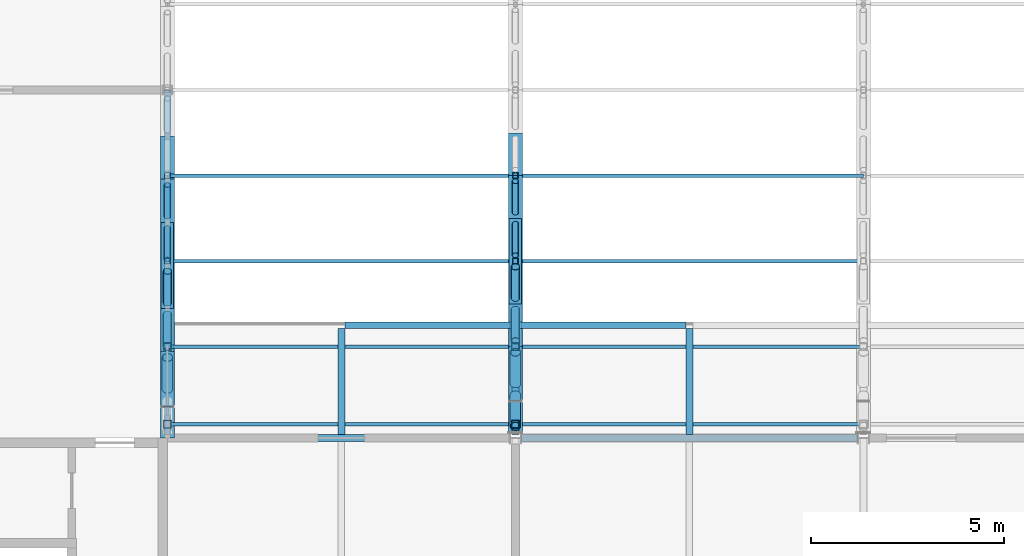
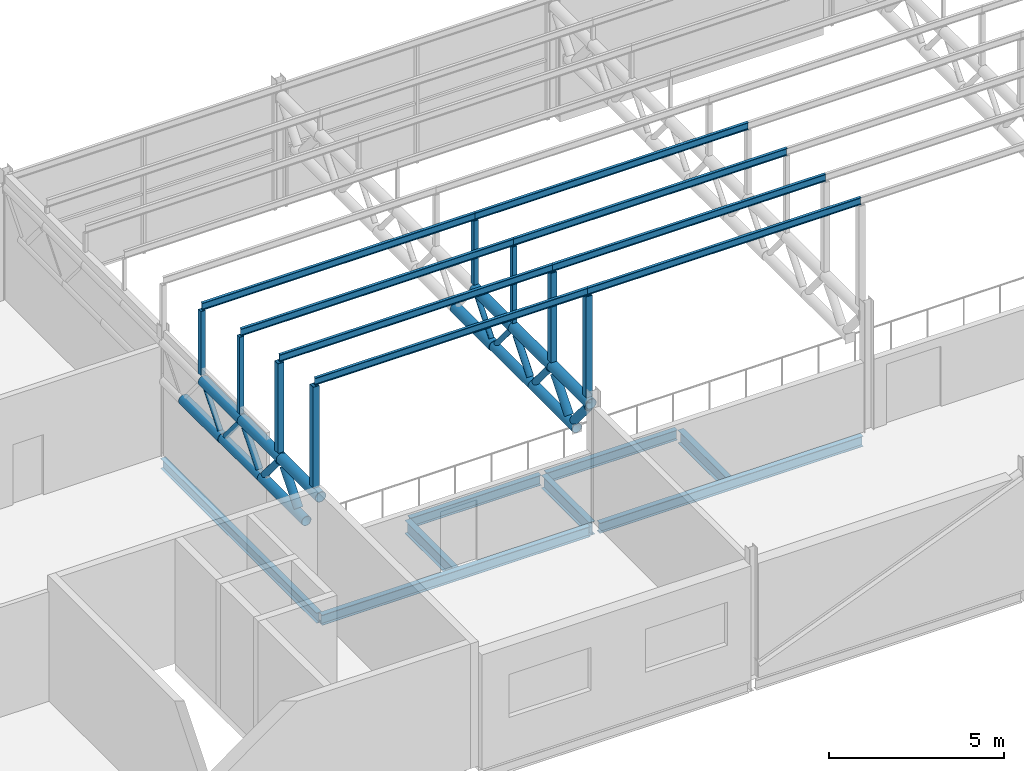
# One storey, part 28 of 138: 39 members, 8 beams.
"""IFC4 building model written with IfcOpenShell, lengths in metres."""

from ifc_helpers import new_model, si_unit, direction, frame, origin, origin_2d, place, context, subcontext, project, spatial, hollow_rectangle, hollow_circle, i_section, extrude, material, material_profile, profile_set, type_object, element, save


model = new_model("IFC4")

# Units and contexts
model_context = context("Model", 3, precision=1e-05, world=origin(), true_north=direction((0.0, 1.0)))
body_context = subcontext(model_context, "Body", "Model", "MODEL_VIEW")
ifc_project = project(units=[si_unit("LENGTHUNIT", "METRE"), si_unit("AREAUNIT", "SQUARE_METRE"), si_unit("VOLUMEUNIT", "CUBIC_METRE"), si_unit("PLANEANGLEUNIT", "RADIAN"), si_unit("MASSUNIT", "GRAM", prefix="KILO")], contexts=[model_context])

# Site, building, storey
site_placement = place(None, origin())
site = spatial("IfcSite", under=ifc_project, at=site_placement, CompositionType="ELEMENT")
building_placement = place(site_placement, origin())
building = spatial("IfcBuilding", under=site, at=building_placement, Name="Corbel Yard City Hall", CompositionType="ELEMENT")
storey_placement = place(building_placement, frame((0.0, 0.0, 10.5)))
storey = spatial("IfcBuildingStorey", under=building, at=storey_placement, Name="L02", CompositionType="ELEMENT", Elevation=10.5)

# Beams
ifc_material_1 = material(Name="Steel Grade 300 (300 MPa yield)", Category="steel")
ifc_material_profile_1 = material_profile(ifc_material_1, i_section(OverallWidth=0.172119140625, OverallDepth=0.35888671875, WebThickness=0.008056640625, FlangeThickness=0.012939453125, at=origin_2d()), Name="360UB56.7")
ifc_profile_set_1 = profile_set([ifc_material_profile_1], Name="Steel Grade 300 (300 MPa yield)")
beam_type_1 = type_object("IfcBeamType", Name="Edge beam 360UB56.7", PredefinedType="BEAM", material=ifc_profile_set_1)
beam_1_placement = place(storey_placement, frame((18.0, 9.0, -0.32958984375), z_axis=(1.0, 0.0, 0.0), x_axis=(0.0, 1.0, 0.0)))
element("IfcBeam", 1, at=beam_1_placement, inside=storey, type_object=beam_type_1, Name="Edge beam 360UB56.7 EB4 L02floor", PredefinedType="BEAM", context=body_context, shape_type="SweptSolid", body=[
    extrude(i_section(OverallWidth=0.172119140625, OverallDepth=0.35888671875, WebThickness=0.008056640625, FlangeThickness=0.012939453125, at=origin_2d()), origin(), (0.0, 0.0, 1.0), 8.842529296875),
])
beam_2_placement = place(storey_placement, frame((27.157470703125, 9.0, -0.32958984375), z_axis=(1.0, 0.0, 0.0), x_axis=(0.0, 1.0, 0.0)))
element("IfcBeam", 2, at=beam_2_placement, inside=storey, type_object=beam_type_1, Name="Edge beam 360UB56.7 EB4 L02floor", PredefinedType="BEAM", context=body_context, shape_type="SweptSolid", body=[
    extrude(i_section(OverallWidth=0.172119140625, OverallDepth=0.35888671875, WebThickness=0.008056640625, FlangeThickness=0.012939453125, at=origin_2d()), origin(), (0.0, 0.0, 1.0), 8.68505859375),
])
beam_3_placement = place(storey_placement, frame((18.0, 9.0859375, -0.32958984375), z_axis=(0.0, 1.0, 0.0), x_axis=(-1.0, 0.0, 0.0)))
element("IfcBeam", 3, at=beam_3_placement, inside=storey, type_object=beam_type_1, Name="Edge beam 360UB56.7 EB4 L02floor", PredefinedType="BEAM", context=body_context, shape_type="SweptSolid", body=[
    extrude(i_section(OverallWidth=0.172119140625, OverallDepth=0.35888671875, WebThickness=0.008056640625, FlangeThickness=0.012939453125, at=origin_2d()), origin(), (0.0, 0.0, 1.0), 8.908203125),
])
ifc_material_profile_2 = material_profile(ifc_material_1, i_section(OverallWidth=0.18994140625, OverallDepth=0.4541015625, WebThickness=0.008544921875, FlangeThickness=0.0126953125, at=origin_2d()), Name="460UB67.1")
ifc_profile_set_2 = profile_set([ifc_material_profile_2], Name="Steel Grade 300 (300 MPa yield)")
beam_type_2 = type_object("IfcBeamType", Name="Gallery bracket 460UB67.1", PredefinedType="BEAM", material=ifc_profile_set_2)
for number, where, z_axis, x_axis, name in (
    (4, (22.5, 9.0859375, -0.376953125), (0.0, 1.0, 0.0), (-1.0, 0.0, 0.0), "Gallery bracket 460UB67.1 CB2 L02"),
    (5, (27.0, 9.0859375, -0.376953125), (0.0, 1.0, 0.0), (-1.0, 0.0, 0.0), "Gallery bracket 460UB67.1 CB2 L02"),
    (6, (31.5, 9.0859375, -0.376953125), (0.0, 1.0, 0.0), (-1.0, 0.0, 0.0), "Gallery bracket 460UB67.1 CB2 L02"),
):
    element("IfcBeam", number, at=place(storey_placement, frame(where, z_axis=z_axis, x_axis=x_axis)), inside=storey, type_object=beam_type_2, Name=name, PredefinedType="BEAM", context=body_context, shape_type="SweptSolid", body=[
        extrude(i_section(OverallWidth=0.18994140625, OverallDepth=0.4541015625, WebThickness=0.008544921875, FlangeThickness=0.0126953125, at=origin_2d()), origin(), (0.0, 0.0, 1.0), 2.7431640625),
    ])
ifc_material_profile_3 = material_profile(ifc_material_1, i_section(OverallWidth=0.1708984375, OverallDepth=0.35205078125, WebThickness=0.0068359375, FlangeThickness=0.009765625, at=origin_2d()), Name="360UB44.7")
ifc_profile_set_3 = profile_set([ifc_material_profile_3], Name="Steel Grade 300 (300 MPa yield)")
beam_type_3 = type_object("IfcBeamType", Name="Gallery edge beam 360UB44.7", PredefinedType="BEAM", material=ifc_profile_set_3)
for number, where, z_axis, x_axis, name in (
    (7, (22.594970703125, 11.91455078125, -0.325927734375), (1.0, 0.0, 0.0), (0.0, 1.0, 0.0), "Gallery edge beam 360UB44.7 EB13 L02"),
    (8, (27.094970703125, 11.91455078125, -0.325927734375), (1.0, 0.0, 0.0), (0.0, 1.0, 0.0), "Gallery edge beam 360UB44.7 EB13 L02"),
):
    element("IfcBeam", number, at=place(storey_placement, frame(where, z_axis=z_axis, x_axis=x_axis)), inside=storey, type_object=beam_type_3, Name=name, PredefinedType="BEAM", context=body_context, shape_type="SweptSolid", body=[
        extrude(i_section(OverallWidth=0.1708984375, OverallDepth=0.35205078125, WebThickness=0.0068359375, FlangeThickness=0.009765625, at=origin_2d()), origin(), (0.0, 0.0, 1.0), 4.31005859375),
    ])

# Members
ifc_material_2 = material(Name="Steel Grade C350L0", Category="steel")
ifc_material_profile_4 = material_profile(ifc_material_2, hollow_circle(Radius=0.161865234375, WallThickness=0.0126953125, at=origin_2d()), Name="323.9x12.7CHS")
ifc_profile_set_4 = profile_set([ifc_material_profile_4], Name="Steel Grade C350L0")
member_type_1 = type_object("IfcMemberType", Name="Hall roof truss bottom chord 323.9x12.7CHS", PredefinedType="CHORD", material=ifc_profile_set_4)
member_1_placement = place(storey_placement, frame((18.0, 9.8154296875, 2.59228515625), z_axis=(0.0, 1.0, 0.0), x_axis=(-1.0, 0.0, 0.0)))
element("IfcMember", 9, at=member_1_placement, inside=storey, type_object=member_type_1, Name="Hall roof truss bottom chord 323.9x12.7CHS TC2", PredefinedType="CHORD", context=body_context, shape_type="SweptSolid", body=[
    extrude(hollow_circle(Radius=0.161865234375, WallThickness=0.0126953125, at=origin_2d()), origin(), (0.0, 0.0, 1.0), 2.531005859375),
])
member_2_placement = place(storey_placement, frame((18.0, 12.346435546875, 2.59228515625), z_axis=(0.0, 1.0, 0.0), x_axis=(-1.0, 0.0, 0.0)))
element("IfcMember", 10, at=member_2_placement, inside=storey, type_object=member_type_1, Name="Hall roof truss bottom chord 323.9x12.7CHS TC2", PredefinedType="CHORD", context=body_context, shape_type="SweptSolid", body=[
    extrude(hollow_circle(Radius=0.161865234375, WallThickness=0.0126953125, at=origin_2d()), origin(), (0.0, 0.0, 1.0), 2.23095703125),
])
member_3_placement = place(storey_placement, frame((27.0, 9.95849609375, 2.59228515625), z_axis=(0.0, 1.0, 0.0), x_axis=(-1.0, 0.0, 0.0)))
element("IfcMember", 11, at=member_3_placement, inside=storey, type_object=member_type_1, Name="Hall roof truss bottom chord 323.9x12.7CHS TC2", PredefinedType="CHORD", context=body_context, shape_type="SweptSolid", body=[
    extrude(hollow_circle(Radius=0.161865234375, WallThickness=0.0126953125, at=origin_2d()), origin(), (0.0, 0.0, 1.0), 2.51171875),
])
member_4_placement = place(storey_placement, frame((27.0, 12.47021484375, 2.59228515625), z_axis=(0.0, 1.0, 0.0), x_axis=(-1.0, 0.0, 0.0)))
element("IfcMember", 12, at=member_4_placement, inside=storey, type_object=member_type_1, Name="Hall roof truss bottom chord 323.9x12.7CHS TC2", PredefinedType="CHORD", context=body_context, shape_type="SweptSolid", body=[
    extrude(hollow_circle(Radius=0.161865234375, WallThickness=0.0126953125, at=origin_2d()), origin(), (0.0, 0.0, 1.0), 2.2119140625),
])
ifc_material_profile_5 = material_profile(ifc_material_2, hollow_circle(Radius=0.177734375, WallThickness=0.0126953125, at=origin_2d()), Name="355.6x12.7CHS")
ifc_profile_set_5 = profile_set([ifc_material_profile_5], Name="Steel Grade C350L0")
member_type_2 = type_object("IfcMemberType", Name="Hall roof truss bottom chord 355.6x12.7CHS", PredefinedType="CHORD", material=ifc_profile_set_5)
member_5_placement = place(storey_placement, frame((18.0, 14.577392578125, 2.59228515625), z_axis=(0.0, 1.0, 0.0), x_axis=(-1.0, 0.0, 0.0)))
element("IfcMember", 13, at=member_5_placement, inside=storey, type_object=member_type_2, Name="Hall roof truss bottom chord 355.6x12.7CHS TC3", PredefinedType="CHORD", context=body_context, shape_type="SweptSolid", body=[
    extrude(hollow_circle(Radius=0.177734375, WallThickness=0.0126953125, at=origin_2d()), origin(), (0.0, 0.0, 1.0), 2.23095703125),
])
member_6_placement = place(storey_placement, frame((27.0, 14.68212890625, 2.59228515625), z_axis=(0.0, 1.0, 0.0), x_axis=(-1.0, 0.0, 0.0)))
element("IfcMember", 14, at=member_6_placement, inside=storey, type_object=member_type_2, Name="Hall roof truss bottom chord 355.6x12.7CHS TC3", PredefinedType="CHORD", context=body_context, shape_type="SweptSolid", body=[
    extrude(hollow_circle(Radius=0.177734375, WallThickness=0.0126953125, at=origin_2d()), origin(), (0.0, 0.0, 1.0), 2.2119140625),
])
ifc_material_profile_6 = material_profile(ifc_material_2, hollow_circle(Radius=0.084228515625, WallThickness=0.007080078125, at=origin_2d()), Name="168.3x7.1CHS")
ifc_profile_set_6 = profile_set([ifc_material_profile_6], Name="Steel Grade C350L0")
member_type_3 = type_object("IfcMemberType", Name="Hall roof truss diagonal 168.3x7.1CHS", PredefinedType="STRUT", material=ifc_profile_set_6)
for number, where, z_axis, x_axis, name in (
    (15, (18.0, 13.611083984375, 3.744384765625), (0.0, 0.64257954038, -0.766218985855), (-1.0, 0.0, 0.0), "Hall roof truss diagonal 168.3x7.1CHS TD3"),
    (16, (18.0, 14.7265625, 2.77001953125), (0.0, 0.64257954038, 0.766218985855), (-1.0, 0.0, 0.0), "Hall roof truss diagonal 168.3x7.1CHS TD3"),
):
    element("IfcMember", number, at=place(storey_placement, frame(where, z_axis=z_axis, x_axis=x_axis)), inside=storey, type_object=member_type_3, Name=name, PredefinedType="STRUT", context=body_context, shape_type="SweptSolid", body=[
        extrude(hollow_circle(Radius=0.084228515625, WallThickness=0.007080078125, at=origin_2d()), origin(), (0.0, 0.0, 1.0), 1.271728515625),
    ])
for number, where, z_axis, x_axis, name in (
    (17, (27.0, 13.72412109375, 3.744384765625), (0.0, 0.639407153698, -0.768868318894), (-1.0, 0.0, 0.0), "Hall roof truss diagonal 168.3x7.1CHS TD3"),
    (18, (27.0, 14.830078125, 2.77001953125), (0.0, 0.639407153698, 0.768868318894), (-1.0, 0.0, 0.0), "Hall roof truss diagonal 168.3x7.1CHS TD3"),
):
    element("IfcMember", number, at=place(storey_placement, frame(where, z_axis=z_axis, x_axis=x_axis)), inside=storey, type_object=member_type_3, Name=name, PredefinedType="STRUT", context=body_context, shape_type="SweptSolid", body=[
        extrude(hollow_circle(Radius=0.084228515625, WallThickness=0.007080078125, at=origin_2d()), origin(), (0.0, 0.0, 1.0), 1.267333984375),
    ])
ifc_material_profile_7 = material_profile(ifc_material_2, hollow_circle(Radius=0.109619140625, WallThickness=0.00830078125, at=origin_2d()), Name="219.1x8.2CHS")
ifc_profile_set_7 = profile_set([ifc_material_profile_7], Name="Steel Grade C350L0")
member_type_4 = type_object("IfcMemberType", Name="Hall roof truss diagonal 219.1x8.2CHS", PredefinedType="STRUT", material=ifc_profile_set_7)
for number, where, z_axis, x_axis, name in (
    (19, (18.0, 11.380126953125, 3.744384765625), (0.0, 0.64257954038, -0.766218985855), (-1.0, 0.0, 0.0), "Hall roof truss diagonal 219.1x8.2CHS TD2"),
    (20, (18.0, 12.49560546875, 2.77001953125), (0.0, 0.64257954038, 0.766218985855), (-1.0, 0.0, 0.0), "Hall roof truss diagonal 219.1x8.2CHS TD2"),
):
    element("IfcMember", number, at=place(storey_placement, frame(where, z_axis=z_axis, x_axis=x_axis)), inside=storey, type_object=member_type_4, Name=name, PredefinedType="STRUT", context=body_context, shape_type="SweptSolid", body=[
        extrude(hollow_circle(Radius=0.109619140625, WallThickness=0.00830078125, at=origin_2d()), origin(), (0.0, 0.0, 1.0), 1.271728515625),
    ])
for number, where, z_axis, x_axis, name in (
    (21, (27.0, 11.51220703125, 3.744384765625), (0.0, 0.639407153698, -0.768868318894), (-1.0, 0.0, 0.0), "Hall roof truss diagonal 219.1x8.2CHS TD2"),
    (22, (27.0, 12.6181640625, 2.77001953125), (0.0, 0.639407153698, 0.768868318894), (-1.0, 0.0, 0.0), "Hall roof truss diagonal 219.1x8.2CHS TD2"),
):
    element("IfcMember", number, at=place(storey_placement, frame(where, z_axis=z_axis, x_axis=x_axis)), inside=storey, type_object=member_type_4, Name=name, PredefinedType="STRUT", context=body_context, shape_type="SweptSolid", body=[
        extrude(hollow_circle(Radius=0.109619140625, WallThickness=0.00830078125, at=origin_2d()), origin(), (0.0, 0.0, 1.0), 1.267333984375),
    ])
ifc_material_profile_8 = material_profile(ifc_material_2, hollow_circle(Radius=0.136474609375, WallThickness=0.00927734375, at=origin_2d()), Name="273.1x9.3CHS")
ifc_profile_set_8 = profile_set([ifc_material_profile_8], Name="Steel Grade C350L0")
member_type_5 = type_object("IfcMemberType", Name="Hall roof truss diagonal 273.1x9.3CHS", PredefinedType="STRUT", material=ifc_profile_set_8)
member_7_placement = place(storey_placement, frame((18.0, 10.2646484375, 2.77001953125), z_axis=(0.0, 0.64257954038, 0.766218985855), x_axis=(-1.0, 0.0, 0.0)))
element("IfcMember", 23, at=member_7_placement, inside=storey, type_object=member_type_5, Name="Hall roof truss diagonal 273.1x9.3CHS TD1", PredefinedType="STRUT", context=body_context, shape_type="SweptSolid", body=[
    extrude(hollow_circle(Radius=0.136474609375, WallThickness=0.00927734375, at=origin_2d()), origin(), (0.0, 0.0, 1.0), 1.271728515625),
])
for number, where, z_axis, x_axis, name in (
    (24, (27.0, 9.30029296875, 3.744384765625), (0.0, 0.639407153698, -0.768868318894), (-1.0, 0.0, 0.0), "Hall roof truss diagonal 273.1x9.3CHS TD1"),
    (25, (27.0, 10.40625, 2.77001953125), (0.0, 0.639407153698, 0.768868318894), (-1.0, 0.0, 0.0), "Hall roof truss diagonal 273.1x9.3CHS TD1"),
):
    element("IfcMember", number, at=place(storey_placement, frame(where, z_axis=z_axis, x_axis=x_axis)), inside=storey, type_object=member_type_5, Name=name, PredefinedType="STRUT", context=body_context, shape_type="SweptSolid", body=[
        extrude(hollow_circle(Radius=0.136474609375, WallThickness=0.00927734375, at=origin_2d()), origin(), (0.0, 0.0, 1.0), 1.267333984375),
    ])
ifc_material_profile_9 = material_profile(ifc_material_2, hollow_circle(Radius=0.177734375, WallThickness=0.0126953125, at=origin_2d()), Name="355.6x12.7CHS")
ifc_profile_set_9 = profile_set([ifc_material_profile_9], Name="Steel Grade C350L0")
member_type_6 = type_object("IfcMemberType", Name="Hall roof truss top chord 355.6x12.7CHS", PredefinedType="CHORD", material=ifc_profile_set_9)
for number, where, z_axis, x_axis, name in (
    (26, (18.0, 9.0, 3.922119140625), (0.0, 1.0, 0.0), (-1.0, 0.0, 0.0), "Hall roof truss top chord 355.6x12.7CHS TC1"),
    (27, (18.0, 11.23095703125, 3.922119140625), (0.0, 1.0, 0.0), (-1.0, 0.0, 0.0), "Hall roof truss top chord 355.6x12.7CHS TC1"),
    (28, (18.0, 13.4619140625, 3.922119140625), (0.0, 1.0, 0.0), (-1.0, 0.0, 0.0), "Hall roof truss top chord 355.6x12.7CHS TC1"),
):
    element("IfcMember", number, at=place(storey_placement, frame(where, z_axis=z_axis, x_axis=x_axis)), inside=storey, type_object=member_type_6, Name=name, PredefinedType="CHORD", context=body_context, shape_type="SweptSolid", body=[
        extrude(hollow_circle(Radius=0.177734375, WallThickness=0.0126953125, at=origin_2d()), origin(), (0.0, 0.0, 1.0), 2.23095703125),
    ])
member_8_placement = place(storey_placement, frame((27.0, 9.152587890625, 3.922119140625), z_axis=(0.0, 1.0, 0.0), x_axis=(-1.0, 0.0, 0.0)))
element("IfcMember", 29, at=member_8_placement, inside=storey, type_object=member_type_6, Name="Hall roof truss top chord 355.6x12.7CHS TC1", PredefinedType="CHORD", context=body_context, shape_type="SweptSolid", body=[
    extrude(hollow_circle(Radius=0.177734375, WallThickness=0.0126953125, at=origin_2d()), origin(), (0.0, 0.0, 1.0), 2.211669921875),
])
for number, where, z_axis, x_axis, name in (
    (30, (27.0, 11.3642578125, 3.922119140625), (0.0, 1.0, 0.0), (-1.0, 0.0, 0.0), "Hall roof truss top chord 355.6x12.7CHS TC1"),
    (31, (27.0, 13.576171875, 3.922119140625), (0.0, 1.0, 0.0), (-1.0, 0.0, 0.0), "Hall roof truss top chord 355.6x12.7CHS TC1"),
):
    element("IfcMember", number, at=place(storey_placement, frame(where, z_axis=z_axis, x_axis=x_axis)), inside=storey, type_object=member_type_6, Name=name, PredefinedType="CHORD", context=body_context, shape_type="SweptSolid", body=[
        extrude(hollow_circle(Radius=0.177734375, WallThickness=0.0126953125, at=origin_2d()), origin(), (0.0, 0.0, 1.0), 2.2119140625),
    ])
ifc_material_profile_10 = material_profile(ifc_material_1, i_section(OverallWidth=0.090087890625, OverallDepth=0.25, WebThickness=0.008056640625, FlangeThickness=0.014892578125, at=origin_2d()), Name="250PFC")
ifc_profile_set_10 = profile_set([ifc_material_profile_10], Name="Steel Grade 300 (300 MPa yield)")
member_type_7 = type_object("IfcMemberType", Name="Purlin 250PFC", PredefinedType="PURLIN", material=ifc_profile_set_10)
for number, where, z_axis, x_axis, name in (
    (32, (18.0, 9.3525390625, 7.74560546875), (1.0, 0.0, 0.0), (0.0, 1.0, 0.0), "Purlin 250PFC PU1"),
    (33, (18.0, 11.3642578125, 7.343017578125), (1.0, 0.0, 0.0), (0.0, 1.0, 0.0), "Purlin 250PFC PU1"),
    (34, (18.0, 13.576171875, 6.900634765625), (1.0, 0.0, 0.0), (0.0, 1.0, 0.0), "Purlin 250PFC PU1"),
    (35, (18.0, 15.7880859375, 6.45849609375), (1.0, 0.0, 0.0), (0.0, 1.0, 0.0), "Purlin 250PFC PU1"),
    (36, (27.0, 9.3525390625, 7.74560546875), (1.0, 0.0, 0.0), (0.0, 1.0, 0.0), "Purlin 250PFC PU1"),
    (37, (27.0, 11.3642578125, 7.343017578125), (1.0, 0.0, 0.0), (0.0, 1.0, 0.0), "Purlin 250PFC PU1"),
    (38, (27.0, 13.576171875, 6.900634765625), (1.0, 0.0, 0.0), (0.0, 1.0, 0.0), "Purlin 250PFC PU1"),
    (39, (27.0, 15.7880859375, 6.45849609375), (1.0, 0.0, 0.0), (0.0, 1.0, 0.0), "Purlin 250PFC PU1"),
):
    element("IfcMember", number, at=place(storey_placement, frame(where, z_axis=z_axis, x_axis=x_axis)), inside=storey, type_object=member_type_7, Name=name, PredefinedType="PURLIN", context=body_context, shape_type="SweptSolid", body=[
        extrude(i_section(OverallWidth=0.090087890625, OverallDepth=0.25, WebThickness=0.008056640625, FlangeThickness=0.014892578125, at=origin_2d()), origin(), (0.0, 0.0, 1.0), 9.0),
    ])
ifc_material_3 = material(Name="Steel Grade C450L0", Category="steel")
ifc_material_profile_11 = material_profile(ifc_material_3, hollow_rectangle(XDim=0.14990234375, YDim=0.14990234375, WallThickness=0.009033203125, at=origin_2d()), Name="150x150x9.0SHS")
ifc_profile_set_11 = profile_set([ifc_material_profile_11], Name="Steel Grade C450L0")
member_type_8 = type_object("IfcMemberType", Name="Roof post 150x150x9.0SHS", PredefinedType="POST", material=ifc_profile_set_11)
member_9_placement = place(storey_placement, frame((18.0, 13.576171875, 4.10009765625), z_axis=(0.0, 0.0, 1.0), x_axis=(1.0, 0.0, 0.0)))
element("IfcMember", 40, at=member_9_placement, inside=storey, type_object=member_type_8, Name="Roof post 150x150x9.0SHS RP2", PredefinedType="POST", context=body_context, shape_type="SweptSolid", body=[
    extrude(hollow_rectangle(XDim=0.14990234375, YDim=0.14990234375, WallThickness=0.009033203125, at=origin_2d()), origin(), (0.0, 0.0, 1.0), 2.675537109375),
])
member_10_placement = place(storey_placement, frame((18.0, 15.7880859375, 4.10009765625), z_axis=(0.0, 0.0, 1.0), x_axis=(1.0, 0.0, 0.0)))
element("IfcMember", 41, at=member_10_placement, inside=storey, type_object=member_type_8, Name="Roof post 150x150x9.0SHS RP2", PredefinedType="POST", context=body_context, shape_type="SweptSolid", body=[
    extrude(hollow_rectangle(XDim=0.14990234375, YDim=0.14990234375, WallThickness=0.009033203125, at=origin_2d()), origin(), (0.0, 0.0, 1.0), 2.2333984375),
])
member_11_placement = place(storey_placement, frame((27.0, 13.576171875, 4.10009765625), z_axis=(0.0, 0.0, 1.0), x_axis=(1.0, 0.0, 0.0)))
element("IfcMember", 42, at=member_11_placement, inside=storey, type_object=member_type_8, Name="Roof post 150x150x9.0SHS RP2", PredefinedType="POST", context=body_context, shape_type="SweptSolid", body=[
    extrude(hollow_rectangle(XDim=0.14990234375, YDim=0.14990234375, WallThickness=0.009033203125, at=origin_2d()), origin(), (0.0, 0.0, 1.0), 2.675537109375),
])
member_12_placement = place(storey_placement, frame((27.0, 15.7880859375, 4.10009765625), z_axis=(0.0, 0.0, 1.0), x_axis=(1.0, 0.0, 0.0)))
element("IfcMember", 43, at=member_12_placement, inside=storey, type_object=member_type_8, Name="Roof post 150x150x9.0SHS RP2", PredefinedType="POST", context=body_context, shape_type="SweptSolid", body=[
    extrude(hollow_rectangle(XDim=0.14990234375, YDim=0.14990234375, WallThickness=0.009033203125, at=origin_2d()), origin(), (0.0, 0.0, 1.0), 2.2333984375),
])
ifc_material_profile_12 = material_profile(ifc_material_3, hollow_rectangle(XDim=0.199951171875, YDim=0.199951171875, WallThickness=0.009033203125, at=origin_2d()), Name="200x200x9.0SHS")
ifc_profile_set_12 = profile_set([ifc_material_profile_12], Name="Steel Grade C450L0")
member_type_9 = type_object("IfcMemberType", Name="Roof post 200x200x9.0SHS", PredefinedType="POST", material=ifc_profile_set_12)
member_13_placement = place(storey_placement, frame((18.0, 9.3525390625, 4.10009765625), z_axis=(0.0, 0.0, 1.0), x_axis=(1.0, 0.0, 0.0)))
element("IfcMember", 44, at=member_13_placement, inside=storey, type_object=member_type_9, Name="Roof post 200x200x9.0SHS RP1", PredefinedType="POST", context=body_context, shape_type="SweptSolid", body=[
    extrude(hollow_rectangle(XDim=0.199951171875, YDim=0.199951171875, WallThickness=0.009033203125, at=origin_2d()), origin(), (0.0, 0.0, 1.0), 3.5205078125),
])
member_14_placement = place(storey_placement, frame((18.0, 11.3642578125, 4.10009765625), z_axis=(0.0, 0.0, 1.0), x_axis=(1.0, 0.0, 0.0)))
element("IfcMember", 45, at=member_14_placement, inside=storey, type_object=member_type_9, Name="Roof post 200x200x9.0SHS RP1", PredefinedType="POST", context=body_context, shape_type="SweptSolid", body=[
    extrude(hollow_rectangle(XDim=0.199951171875, YDim=0.199951171875, WallThickness=0.009033203125, at=origin_2d()), origin(), (0.0, 0.0, 1.0), 3.117919921875),
])
member_15_placement = place(storey_placement, frame((27.0, 9.3525390625, 4.10009765625), z_axis=(0.0, 0.0, 1.0), x_axis=(1.0, 0.0, 0.0)))
element("IfcMember", 46, at=member_15_placement, inside=storey, type_object=member_type_9, Name="Roof post 200x200x9.0SHS RP1", PredefinedType="POST", context=body_context, shape_type="SweptSolid", body=[
    extrude(hollow_rectangle(XDim=0.199951171875, YDim=0.199951171875, WallThickness=0.009033203125, at=origin_2d()), origin(), (0.0, 0.0, 1.0), 3.5205078125),
])
member_16_placement = place(storey_placement, frame((27.0, 11.3642578125, 4.10009765625), z_axis=(0.0, 0.0, 1.0), x_axis=(1.0, 0.0, 0.0)))
element("IfcMember", 47, at=member_16_placement, inside=storey, type_object=member_type_9, Name="Roof post 200x200x9.0SHS RP1", PredefinedType="POST", context=body_context, shape_type="SweptSolid", body=[
    extrude(hollow_rectangle(XDim=0.199951171875, YDim=0.199951171875, WallThickness=0.009033203125, at=origin_2d()), origin(), (0.0, 0.0, 1.0), 3.117919921875),
])

save(model, "model.ifc")
